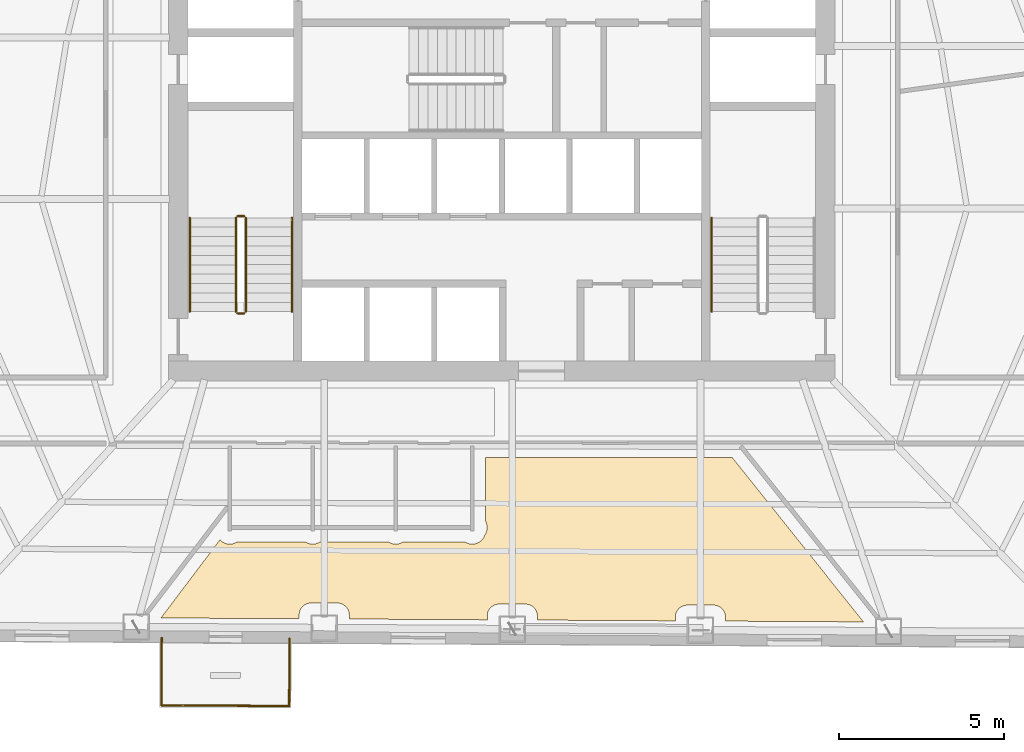
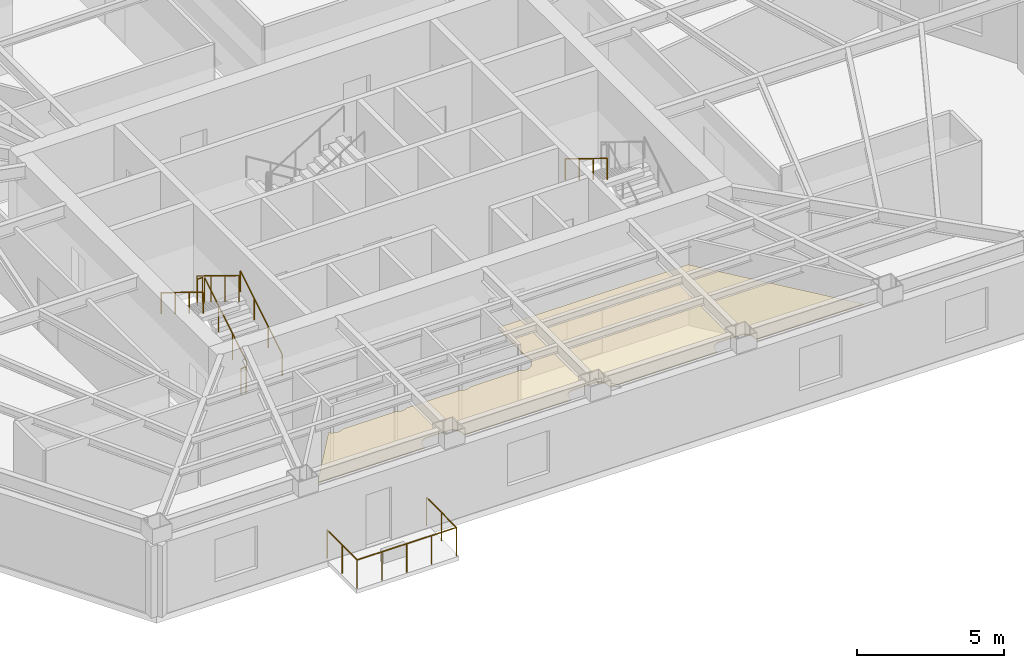
# One storey, part 13 of 16: 10 railings, 1 covering.
"""IFC4 building model written with IfcOpenShell, lengths in metres."""

from ifc_helpers import new_model, si_unit, direction, frame, origin, origin_2d, place, context, subcontext, project, spatial, polyline, circle, outline, extrude, material, layer, layer_set, type_object, element, save


model = new_model("IFC4")

# Units and contexts
model_context = context("Model", 3, precision=1e-05, world=origin(), true_north=direction((0.0, 1.0)))
body_context = subcontext(model_context, "Body", "Model", "MODEL_VIEW")
ifc_project = project(units=[si_unit("LENGTHUNIT", "METRE"), si_unit("AREAUNIT", "SQUARE_METRE"), si_unit("VOLUMEUNIT", "CUBIC_METRE"), si_unit("PLANEANGLEUNIT", "RADIAN"), si_unit("MASSUNIT", "GRAM", prefix="KILO")], contexts=[model_context])

# Site, building, storey
site_placement = place(None, origin())
site = spatial("IfcSite", under=ifc_project, at=site_placement, CompositionType="ELEMENT")
building_placement = place(site_placement, origin())
building = spatial("IfcBuilding", under=site, at=building_placement, Name="Kavelnor Concourse Tower", CompositionType="ELEMENT")
storey_placement = place(building_placement, frame((0.0, 0.0, 48.35009765625)))
storey = spatial("IfcBuildingStorey", under=building, at=storey_placement, Name="L12", CompositionType="ELEMENT", Elevation=48.35009765625)

# Covering
ifc_material_1 = material(Name="Mineral fibre acoustic ceiling tile")
ifc_layer = layer(ifc_material_1, 0.0400390625, Name="Mineral fibre acoustic ceiling tile")
ifc_layer_set = layer_set([ifc_layer], Name="Mineral fibre acoustic ceiling tile")
covering_type = type_object("IfcCoveringType", Name="COV-CEILING-ACOUSTIC", PredefinedType="CEILING", material=ifc_layer_set)
covering_placement = place(storey_placement, frame((0.0, 0.0, 2.75)))
element("IfcCovering", 1, at=covering_placement, inside=storey, type_object=covering_type, Name="L12 Suspended Acoustic Ceiling", PredefinedType="CEILING", context=body_context, shape_type="SweptSolid", body=[
    extrude(outline(polyline([(29.453369140625, 4.163330078125), (29.48291015625, 4.13671875), (29.514892578125, 4.11279296875), (29.548828125, 4.092529296875), (29.5849609375, 4.075439453125), (29.622314453125, 4.06201171875), (29.660888671875, 4.052490234375), (29.7001953125, 4.04638671875), (29.739990234375, 4.044677734375), (29.77978515625, 4.04638671875), (29.819091796875, 4.052490234375), (29.857666015625, 4.06201171875), (29.89501953125, 4.075439453125), (29.93115234375, 4.092529296875), (29.96044921875, 4.110107421875), (32.03955078125, 4.110107421875), (32.06884765625, 4.092529296875), (32.10498046875, 4.075439453125), (32.142333984375, 4.06201171875), (32.180908203125, 4.052490234375), (32.22021484375, 4.04638671875), (32.260009765625, 4.044677734375), (32.2998046875, 4.04638671875), (32.339111328125, 4.052490234375), (32.377685546875, 4.06201171875), (32.4150390625, 4.075439453125), (32.451171875, 4.092529296875), (32.48046875, 4.110107421875), (34.5595703125, 4.110107421875), (34.5888671875, 4.092529296875), (34.625, 4.075439453125), (34.662353515625, 4.06201171875), (34.700927734375, 4.052490234375), (34.740234375, 4.04638671875), (34.780029296875, 4.044677734375), (34.819580078125, 4.04638671875), (34.859130859375, 4.052490234375), (34.897705078125, 4.06201171875), (34.93505859375, 4.075439453125), (34.97119140625, 4.092529296875), (35.00048828125, 4.110107421875), (36.879638671875, 4.110107421875), (36.908935546875, 4.092529296875), (36.94482421875, 4.075439453125), (36.982421875, 4.06201171875), (37.02099609375, 4.052490234375), (37.060302734375, 4.04638671875), (37.10009765625, 4.044677734375), (37.1396484375, 4.04638671875), (37.17919921875, 4.052490234375), (37.2177734375, 4.06201171875), (37.255126953125, 4.075439453125), (37.291015625, 4.092529296875), (37.3251953125, 4.11279296875), (37.357177734375, 4.13671875), (37.38671875, 4.163330078125), (37.413330078125, 4.19287109375), (37.43701171875, 4.224853515625), (37.45751953125, 4.2587890625), (37.474609375, 4.294921875), (37.4833984375, 4.320068359375), (37.487060546875, 4.32470703125), (37.507568359375, 4.35888671875), (37.524658203125, 4.39501953125), (37.5380859375, 4.432373046875), (37.547607421875, 4.470947265625), (37.553466796875, 4.51025390625), (37.555419921875, 4.550048828125), (37.553466796875, 4.589599609375), (37.547607421875, 4.629150390625), (37.5380859375, 4.667724609375), (37.524658203125, 4.705078125), (37.507568359375, 4.7412109375), (37.5048828125, 4.745361328125), (37.5048828125, 6.677490234375), (44.991943359375, 6.677490234375), (48.976318359375, 1.68701171875), (48.976318359375, 1.6845703125), (44.787353515625, 1.7080078125), (44.787353515625, 1.84033203125), (44.7861328125, 1.867431640625), (44.781005859375, 1.90234375), (44.772216796875, 1.936767578125), (44.760498046875, 1.969970703125), (44.745361328125, 2.001953125), (44.72705078125, 2.0322265625), (44.7060546875, 2.060791015625), (44.68212890625, 2.0869140625), (44.656005859375, 2.110595703125), (44.627685546875, 2.1318359375), (44.597412109375, 2.14990234375), (44.565185546875, 2.1650390625), (44.531982421875, 2.177001953125), (44.497802734375, 2.185546875), (44.462646484375, 2.19091796875), (44.435791015625, 2.192138671875), (43.619140625, 2.192138671875), (43.592041015625, 2.19091796875), (43.55712890625, 2.185546875), (43.522705078125, 2.177001953125), (43.489501953125, 2.1650390625), (43.45751953125, 2.14990234375), (43.42724609375, 2.1318359375), (43.398681640625, 2.110595703125), (43.37255859375, 2.0869140625), (43.348876953125, 2.060791015625), (43.32763671875, 2.0322265625), (43.3095703125, 2.001953125), (43.29443359375, 1.969970703125), (43.282470703125, 1.936767578125), (43.27392578125, 1.90234375), (43.268798828125, 1.867431640625), (43.267333984375, 1.84033203125), (43.267333984375, 1.71630859375), (39.07861328125, 1.73974609375), (39.07861328125, 1.872314453125), (39.0771484375, 1.8994140625), (39.072021484375, 1.934326171875), (39.0634765625, 1.968505859375), (39.051513671875, 2.001953125), (39.036376953125, 2.033935546875), (39.018310546875, 2.064208984375), (38.9970703125, 2.092529296875), (38.973388671875, 2.118896484375), (38.947021484375, 2.142578125), (38.918701171875, 2.163818359375), (38.888427734375, 2.181884765625), (38.8564453125, 2.197021484375), (38.822998046875, 2.208984375), (38.788818359375, 2.217529296875), (38.75390625, 2.22265625), (38.726806640625, 2.22412109375), (37.91015625, 2.22412109375), (37.88330078125, 2.22265625), (37.84814453125, 2.217529296875), (37.81396484375, 2.208984375), (37.780517578125, 2.197021484375), (37.74853515625, 2.181884765625), (37.71826171875, 2.163818359375), (37.68994140625, 2.142578125), (37.663818359375, 2.118896484375), (37.639892578125, 2.092529296875), (37.618896484375, 2.064208984375), (37.6005859375, 2.033935546875), (37.58544921875, 2.001953125), (37.573486328125, 1.968505859375), (37.56494140625, 1.934326171875), (37.559814453125, 1.8994140625), (37.55859375, 1.872314453125), (37.55859375, 1.748291015625), (33.36962890625, 1.771484375), (33.36962890625, 1.904296875), (33.368408203125, 1.93115234375), (33.363037109375, 1.96630859375), (33.3544921875, 2.00048828125), (33.342529296875, 2.03369140625), (33.327392578125, 2.06591796875), (33.309326171875, 2.09619140625), (33.2880859375, 2.12451171875), (33.264404296875, 2.150634765625), (33.23828125, 2.174560546875), (33.209716796875, 2.195556640625), (33.179443359375, 2.2138671875), (33.1474609375, 2.22900390625), (33.1142578125, 2.24072265625), (33.079833984375, 2.24951171875), (33.044921875, 2.254638671875), (33.017822265625, 2.255859375), (32.201416015625, 2.255859375), (32.17431640625, 2.254638671875), (32.139404296875, 2.24951171875), (32.10498046875, 2.24072265625), (32.07177734375, 2.22900390625), (32.039794921875, 2.2138671875), (32.009521484375, 2.195556640625), (31.98095703125, 2.174560546875), (31.954833984375, 2.150634765625), (31.930908203125, 2.12451171875), (31.909912109375, 2.09619140625), (31.8916015625, 2.06591796875), (31.876708984375, 2.03369140625), (31.86474609375, 2.00048828125), (31.856201171875, 1.96630859375), (31.850830078125, 1.93115234375), (31.849609375, 1.904296875), (31.849609375, 1.780029296875), (27.66064453125, 1.803466796875), (27.66064453125, 1.813720703125), (29.443115234375, 4.1748046875), (29.453369140625, 4.163330078125)])), origin(), (0.0, 0.0, 1.0), 0.039794921875),
])

# Railings
ifc_material_2 = material(Name="Steel Grade 350", Category="steel")
railing_type_1 = type_object("IfcRailingType", Name="RLG-GUARD-1100", PredefinedType="GUARDRAIL", material=ifc_material_2)
railing_1_placement = place(storey_placement, frame((30.22998046875, 11.10009765625, 0.1748046875)))
element("IfcRailing", 2, at=railing_1_placement, inside=storey, type_object=railing_type_1, Name="L12 ST1 stair guard 1", PredefinedType="GUARDRAIL", context=body_context, shape_type="SweptSolid", body=[
    extrude(circle(Radius=0.02392578125, at=origin_2d()), frame((0.0, 0.0, 1.076171875), z_axis=(0.0, 0.852159232446, 0.523282564737), x_axis=(-1.0, 0.0, 0.0)), (0.0, 0.0, 1.0), 3.34423828125),
    extrude(circle(Radius=0.02099609375, at=origin_2d()), origin(), (0.0, 0.0, 1.0), 1.052001953125),
    extrude(circle(Radius=0.02099609375, at=origin_2d()), frame((0.0, 0.949951171875, 0.583251953125)), (0.0, 0.0, 1.0), 1.052001953125),
    extrude(circle(Radius=0.02099609375, at=origin_2d()), frame((0.0, 1.89990234375, 1.166748046875)), (0.0, 0.0, 1.0), 1.052001953125),
    extrude(circle(Radius=0.02099609375, at=origin_2d()), frame((0.0, 2.849853515625, 1.75)), (0.0, 0.0, 1.0), 1.052001953125),
])
railing_2_placement = place(storey_placement, frame((30.179931640625, 14.0, 1.9248046875)))
element("IfcRailing", 3, at=railing_2_placement, inside=storey, type_object=railing_type_1, Name="L12 ST1 stair guard 2", PredefinedType="GUARDRAIL", context=body_context, shape_type="SweptSolid", body=[
    extrude(circle(Radius=0.02392578125, at=origin_2d()), frame((0.0, 0.0, 1.076171875), z_axis=(-1.0, 0.0, 0.0), x_axis=(0.0, -1.0, 0.0)), (0.0, 0.0, 1.0), 0.199951171875),
    extrude(circle(Radius=0.02099609375, at=origin_2d()), origin(), (0.0, 0.0, 1.0), 1.052001953125),
    extrude(circle(Radius=0.02099609375, at=origin_2d()), frame((-0.199951171875, 0.0, 0.0)), (0.0, 0.0, 1.0), 1.052001953125),
])
railing_3_placement = place(storey_placement, frame((29.929931640625, 13.949951171875, 2.099853515625)))
element("IfcRailing", 4, at=railing_3_placement, inside=storey, type_object=railing_type_1, Name="L12 ST1 stair guard 3", PredefinedType="GUARDRAIL", context=body_context, shape_type="SweptSolid", body=[
    extrude(circle(Radius=0.02392578125, at=origin_2d()), frame((0.0, 0.0, 1.076171875), z_axis=(0.0, -0.852159232446, 0.523282564737), x_axis=(1.0, 0.0, 0.0)), (0.0, 0.0, 1.0), 3.34423828125),
    extrude(circle(Radius=0.02099609375, at=origin_2d()), origin(), (0.0, 0.0, 1.0), 1.052001953125),
    extrude(circle(Radius=0.02099609375, at=origin_2d()), frame((0.0, -0.949951171875, 0.583251953125)), (0.0, 0.0, 1.0), 1.052001953125),
    extrude(circle(Radius=0.02099609375, at=origin_2d()), frame((0.0, -1.89990234375, 1.166748046875)), (0.0, 0.0, 1.0), 1.052001953125),
    extrude(circle(Radius=0.02099609375, at=origin_2d()), frame((0.0, -2.849853515625, 1.75)), (0.0, 0.0, 1.0), 1.052001953125),
])
railing_4_placement = place(storey_placement, frame((30.179931640625, 11.050048828125, 0.0)))
element("IfcRailing", 5, at=railing_4_placement, inside=storey, type_object=railing_type_1, Name="L12 ST1 stair guard 4", PredefinedType="GUARDRAIL", context=body_context, shape_type="SweptSolid", body=[
    extrude(circle(Radius=0.02392578125, at=origin_2d()), frame((0.0, 0.0, 1.076171875), z_axis=(-1.0, 0.0, 0.0), x_axis=(0.0, -1.0, 0.0)), (0.0, 0.0, 1.0), 0.199951171875),
    extrude(circle(Radius=0.02099609375, at=origin_2d()), origin(), (0.0, 0.0, 1.0), 1.052001953125),
    extrude(circle(Radius=0.02099609375, at=origin_2d()), frame((-0.199951171875, 0.0, 0.0)), (0.0, 0.0, 1.0), 1.052001953125),
])
railing_type_2 = type_object("IfcRailingType", Name="RLG-HANDRAIL-900", PredefinedType="HANDRAIL", material=ifc_material_2)
railing_5_placement = place(storey_placement, frame((31.6298828125, 11.10009765625, 0.1748046875)))
element("IfcRailing", 6, at=railing_5_placement, inside=storey, type_object=railing_type_2, Name="L12 ST1 stair handrail 1", PredefinedType="HANDRAIL", context=body_context, shape_type="SweptSolid", body=[
    extrude(circle(Radius=0.02392578125, at=origin_2d()), frame((0.0, 0.0, 0.8759765625), z_axis=(0.0, 0.852159232446, 0.523282564737), x_axis=(-1.0, 0.0, 0.0)), (0.0, 0.0, 1.0), 3.34423828125),
    extrude(circle(Radius=0.02099609375, at=origin_2d()), origin(), (0.0, 0.0, 1.0), 0.851806640625),
    extrude(circle(Radius=0.02099609375, at=origin_2d()), frame((0.0, 0.949951171875, 0.583251953125)), (0.0, 0.0, 1.0), 0.851806640625),
    extrude(circle(Radius=0.02099609375, at=origin_2d()), frame((0.0, 1.89990234375, 1.166748046875)), (0.0, 0.0, 1.0), 0.851806640625),
    extrude(circle(Radius=0.02099609375, at=origin_2d()), frame((0.0, 2.849853515625, 1.75)), (0.0, 0.0, 1.0), 0.851806640625),
])
for number, where, name in (
    (7, (28.530029296875, 13.949951171875, 2.099853515625), "L12 ST1 stair handrail 2"),
    (8, (44.3701171875, 13.949951171875, 2.099853515625), "L12 ST2 stair handrail 2"),
):
    element("IfcRailing", number, at=place(storey_placement, frame(where)), inside=storey, type_object=railing_type_2, Name=name, PredefinedType="HANDRAIL", context=body_context, shape_type="SweptSolid", body=[
        extrude(circle(Radius=0.02392578125, at=origin_2d()), frame((0.0, 0.0, 0.8759765625), z_axis=(0.0, -0.852159232446, 0.523282564737), x_axis=(1.0, 0.0, 0.0)), (0.0, 0.0, 1.0), 3.34423828125),
        extrude(circle(Radius=0.02099609375, at=origin_2d()), origin(), (0.0, 0.0, 1.0), 0.851806640625),
        extrude(circle(Radius=0.02099609375, at=origin_2d()), frame((0.0, -0.949951171875, 0.583251953125)), (0.0, 0.0, 1.0), 0.851806640625),
        extrude(circle(Radius=0.02099609375, at=origin_2d()), frame((0.0, -1.89990234375, 1.166748046875)), (0.0, 0.0, 1.0), 0.851806640625),
        extrude(circle(Radius=0.02099609375, at=origin_2d()), frame((0.0, -2.849853515625, 1.75)), (0.0, 0.0, 1.0), 0.851806640625),
    ])
ifc_material_3 = material(Name="Architectural bronze-anodised aluminium", Category="aluminium")
railing_type_3 = type_object("IfcRailingType", Name="RLG-TERRACE-1200", PredefinedType="BALUSTRADE", material=ifc_material_3)
railing_6_placement = place(storey_placement, frame((27.677734375, 1.203369140625, 0.0)))
element("IfcRailing", 9, at=railing_6_placement, inside=storey, type_object=railing_type_3, Name="L12 Tree Balcony 2 Guardrail L", PredefinedType="BALUSTRADE", context=body_context, shape_type="SweptSolid", body=[
    extrude(circle(Radius=0.02392578125, at=origin_2d()), frame((0.0, 0.0, 1.17578125), z_axis=(-0.005597149432, -0.999984335836, 0.0), x_axis=(0.999984335836, -0.005597149432, 0.0)), (0.0, 0.0, 1.0), 2.050048828125),
    extrude(circle(Radius=0.02099609375, at=origin_2d()), origin(), (0.0, 0.0, 1.0), 1.15185546875),
    extrude(circle(Radius=0.02099609375, at=origin_2d()), frame((-0.005859375, -1.02490234375, 0.0)), (0.0, 0.0, 1.0), 1.15185546875),
    extrude(circle(Radius=0.02099609375, at=origin_2d()), frame((-0.011474609375, -2.050048828125, 0.0)), (0.0, 0.0, 1.0), 1.15185546875),
])
railing_7_placement = place(storey_placement, frame((27.666259765625, -0.8466796875, 0.0)))
element("IfcRailing", 10, at=railing_7_placement, inside=storey, type_object=railing_type_3, Name="L12 Tree Balcony 2 Guardrail F", PredefinedType="BALUSTRADE", context=body_context, shape_type="SweptSolid", body=[
    extrude(circle(Radius=0.02392578125, at=origin_2d()), frame((0.0, 0.0, 1.17578125), z_axis=(0.999984320651, -0.00559986186, 0.0), x_axis=(0.00559986186, 0.999984320651, 0.0)), (0.0, 0.0, 1.0), 3.880126953125),
    extrude(circle(Radius=0.02099609375, at=origin_2d()), origin(), (0.0, 0.0, 1.0), 1.15185546875),
    extrude(circle(Radius=0.02099609375, at=origin_2d()), frame((0.969970703125, -0.00537109375, 0.0)), (0.0, 0.0, 1.0), 1.15185546875),
    extrude(circle(Radius=0.02099609375, at=origin_2d()), frame((1.93994140625, -0.0107421875, 0.0)), (0.0, 0.0, 1.0), 1.15185546875),
    extrude(circle(Radius=0.02099609375, at=origin_2d()), frame((2.91015625, -0.016357421875, 0.0)), (0.0, 0.0, 1.0), 1.15185546875),
    extrude(circle(Radius=0.02099609375, at=origin_2d()), frame((3.880126953125, -0.021728515625, 0.0)), (0.0, 0.0, 1.0), 1.15185546875),
])
railing_8_placement = place(storey_placement, frame((31.54638671875, -0.868408203125, 0.0)))
element("IfcRailing", 11, at=railing_8_placement, inside=storey, type_object=railing_type_3, Name="L12 Tree Balcony 2 Guardrail R", PredefinedType="BALUSTRADE", context=body_context, shape_type="SweptSolid", body=[
    extrude(circle(Radius=0.02392578125, at=origin_2d()), frame((0.0, 0.0, 1.17578125), z_axis=(0.005597149432, 0.999984335836, 0.0), x_axis=(-0.999984335836, 0.005597149432, 0.0)), (0.0, 0.0, 1.0), 2.050048828125),
    extrude(circle(Radius=0.02099609375, at=origin_2d()), origin(), (0.0, 0.0, 1.0), 1.15185546875),
    extrude(circle(Radius=0.02099609375, at=origin_2d()), frame((0.005859375, 1.02490234375, 0.0)), (0.0, 0.0, 1.0), 1.15185546875),
    extrude(circle(Radius=0.02099609375, at=origin_2d()), frame((0.011474609375, 2.050048828125, 0.0)), (0.0, 0.0, 1.0), 1.15185546875),
])

save(model, "model.ifc")
